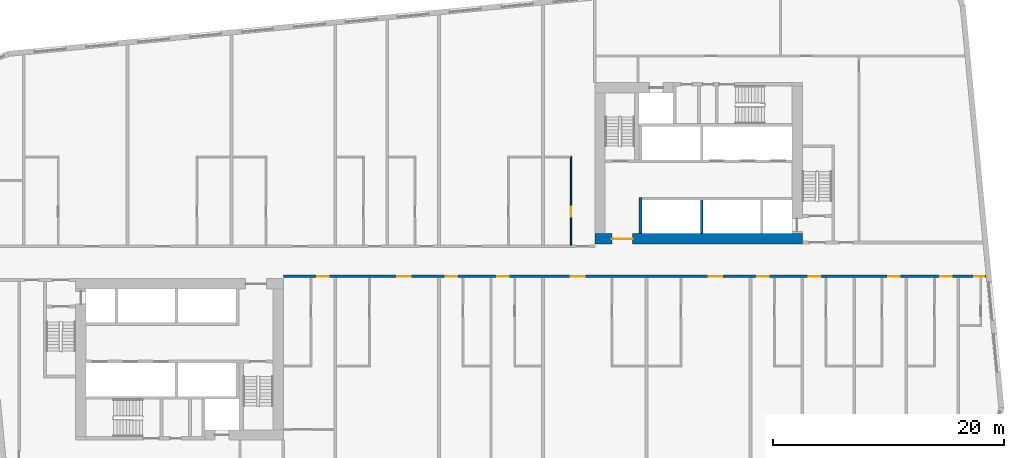
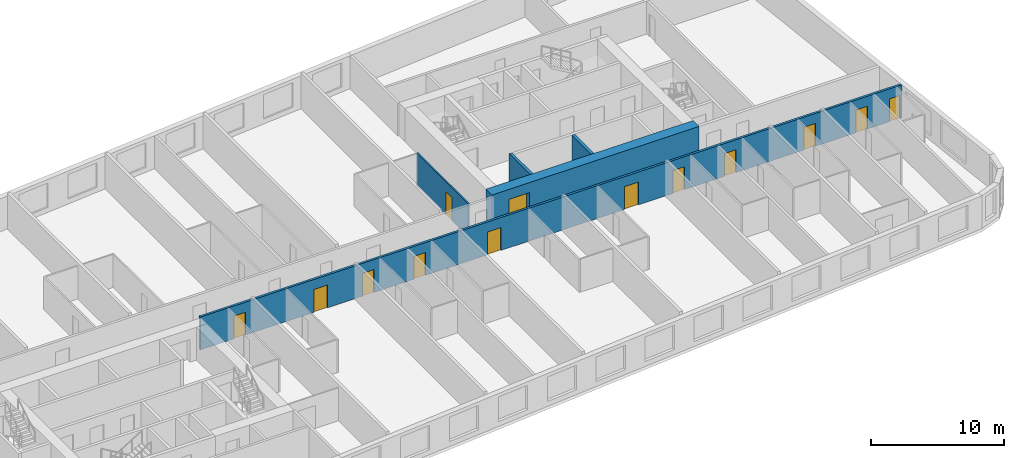
# One storey, part 5 of 12: 13 doors, 5 walls, 13 openings.
"""IFC4 building model written with IfcOpenShell, lengths in metres."""

from ifc_helpers import new_model, si_unit, direction, frame, frame_2d, origin, place, context, subcontext, project, spatial, rectangle, extrude, material, layer, layer_set, type_object, element, fill, save


model = new_model("IFC4")

# Units and contexts
model_context = context("Model", 3, precision=1e-05, world=origin(), true_north=direction((0.0, 1.0)))
body_context = subcontext(model_context, "Body", "Model", "MODEL_VIEW")
ifc_project = project(units=[si_unit("LENGTHUNIT", "METRE"), si_unit("AREAUNIT", "SQUARE_METRE"), si_unit("VOLUMEUNIT", "CUBIC_METRE"), si_unit("PLANEANGLEUNIT", "RADIAN"), si_unit("MASSUNIT", "GRAM", prefix="KILO")], contexts=[model_context])

# Site, building, storey
site_placement = place(None, origin())
site = spatial("IfcSite", under=ifc_project, at=site_placement, CompositionType="ELEMENT")
building_placement = place(site_placement, origin())
building = spatial("IfcBuilding", under=site, at=building_placement, Name="Kajstack Hotel Tower", CompositionType="ELEMENT")
storey_placement = place(building_placement, frame((0.0, 0.0, 133.89990234375)))
storey = spatial("IfcBuildingStorey", under=building, at=storey_placement, Name="L30", CompositionType="ELEMENT", Elevation=133.89990234375)

# Wall, opening, door
ifc_material_1 = material(Name="Concrete C60/75", Category="concrete")
ifc_layer_1 = layer(ifc_material_1, 0.89990234375)
ifc_layer_set_1 = layer_set([ifc_layer_1], Name="Core wall 900")
wall_type_1 = type_object("IfcWallType", Name="Core wall 900", PredefinedType="SHEAR", material=ifc_layer_set_1)
wall_1_placement = place(storey_placement, frame((13.5, 1.949951171875, 0.0), z_axis=(0.0, 0.0, 1.0), x_axis=(1.0, 0.0, 0.0)))
wall_1 = element("IfcWall", 1, at=wall_1_placement, inside=storey, type_object=wall_type_1, Name="Core wall E RN", PredefinedType="SHEAR", context=body_context, shape_type="SweptSolid", body=[
    extrude(rectangle(XDim=18.0, YDim=0.89990234375, at=frame_2d((9.0, 0.0))), origin(), (0.0, 0.0, 1.0), 3.02001953125),
])
opening_1_placement = place(wall_1_placement, frame((1.47509765625, 0.0, 0.0)))
opening_1 = element("IfcOpeningElement", 2, at=opening_1_placement, cuts=wall_1, Name="Opening 30E06", PredefinedType="OPENING", context=body_context, shape_type="SweptSolid", body=[
    extrude(rectangle(XDim=1.800048828125, YDim=2.10009765625, at=frame_2d((0.89990234375, 1.050048828125))), frame((0.0, 0.4599609375, 0.0), z_axis=(0.0, -1.0, 0.0), x_axis=(1.0, 0.0, 0.0)), (0.0, 0.0, 1.0), 0.919921875),
])
ifc_material_2 = material(Name="Glazed steel frame, fire-rated glass", Category="steel")
door_type_1 = type_object("IfcDoorType", Name="Lobby double door 1800", OperationType="DOUBLE_DOOR_DOUBLE_SWING", PredefinedType="DOOR", material=ifc_material_2)
door_1_placement = place(opening_1_placement, origin())
door_1 = element("IfcDoor", 3, at=door_1_placement, inside=storey, type_object=door_type_1, Name="Door 30E06", OperationType="DOUBLE_DOOR_DOUBLE_SWING", OverallHeight=2.10009765625, OverallWidth=1.800048828125, PredefinedType="DOOR", context=body_context, shape_type="SweptSolid", body=[
    extrude(rectangle(XDim=1.800048828125, YDim=2.10009765625, at=frame_2d((0.89990234375, 1.050048828125))), frame((0.0, 0.02490234375, 0.0), z_axis=(0.0, -1.0, 0.0), x_axis=(1.0, 0.0, 0.0)), (0.0, 0.0, 1.0), 0.050048828125),
])
fill(opening_1, door_1)

# Wall, openings, doors
ifc_material_3 = material(Name="Gypsum board on steel studs, mineral wool", Category="steel")
ifc_layer_2 = layer(ifc_material_3, 0.199951171875)
ifc_layer_set_2 = layer_set([ifc_layer_2], Name="Corridor wall 200")
wall_type_2 = type_object("IfcWallType", Name="Corridor wall 200", PredefinedType="PARTITIONING", material=ifc_layer_set_2)
wall_2_placement = place(storey_placement, frame((-13.5, -1.300048828125, 0.0), z_axis=(0.0, 0.0, 1.0), x_axis=(1.0, 0.0, 0.0)))
wall_2 = element("IfcWall", 4, at=wall_2_placement, inside=storey, type_object=wall_type_2, Name="G-wall-L30-021", PredefinedType="PARTITIONING", context=body_context, shape_type="SweptSolid", body=[
    extrude(rectangle(XDim=60.931884765625, YDim=0.199951171875, at=frame_2d((30.4658203125, 0.0))), origin(), (0.0, 0.0, 1.0), 3.02001953125),
])
opening_2_placement = place(wall_2_placement, frame((2.925048828125, 0.0, 0.0)))
opening_2 = element("IfcOpeningElement", 5, at=opening_2_placement, cuts=wall_2, Name="Opening 30017", PredefinedType="OPENING", context=body_context, shape_type="SweptSolid", body=[
    extrude(rectangle(XDim=1.0, YDim=2.10009765625, at=frame_2d((0.5, 1.050048828125))), frame((0.0, 0.10986328125, 0.0), z_axis=(0.0, -1.0, 0.0), x_axis=(1.0, 0.0, 0.0)), (0.0, 0.0, 1.0), 0.219970703125),
])
opening_3_placement = place(wall_2_placement, frame((9.863037109375, 0.0, 0.0)))
opening_3 = element("IfcOpeningElement", 6, at=opening_3_placement, cuts=wall_2, Name="Opening 30020", PredefinedType="OPENING", context=body_context, shape_type="SweptSolid", body=[
    extrude(rectangle(XDim=1.199951171875, YDim=2.10009765625, at=frame_2d((0.60009765625, 1.050048828125))), frame((0.0, 0.10986328125, 0.0), z_axis=(0.0, -1.0, 0.0), x_axis=(1.0, 0.0, 0.0)), (0.0, 0.0, 1.0), 0.219970703125),
])
opening_4_placement = place(wall_2_placement, frame((14.074951171875, 0.0, 0.0)))
opening_4 = element("IfcOpeningElement", 7, at=opening_4_placement, cuts=wall_2, Name="Opening 30022", PredefinedType="OPENING", context=body_context, shape_type="SweptSolid", body=[
    extrude(rectangle(XDim=1.0, YDim=2.10009765625, at=frame_2d((0.5, 1.050048828125))), frame((0.0, 0.10986328125, 0.0), z_axis=(0.0, -1.0, 0.0), x_axis=(1.0, 0.0, 0.0)), (0.0, 0.0, 1.0), 0.219970703125),
])
opening_5_placement = place(wall_2_placement, frame((18.550048828125, 0.0, 0.0)))
opening_5 = element("IfcOpeningElement", 8, at=opening_5_placement, cuts=wall_2, Name="Opening 30024", PredefinedType="OPENING", context=body_context, shape_type="SweptSolid", body=[
    extrude(rectangle(XDim=1.0, YDim=2.10009765625, at=frame_2d((0.5, 1.050048828125))), frame((0.0, 0.10986328125, 0.0), z_axis=(0.0, -1.0, 0.0), x_axis=(1.0, 0.0, 0.0)), (0.0, 0.0, 1.0), 0.219970703125),
])
opening_6_placement = place(wall_2_placement, frame((24.93798828125, 0.0, 0.0)))
opening_6 = element("IfcOpeningElement", 9, at=opening_6_placement, cuts=wall_2, Name="Opening 30026", PredefinedType="OPENING", context=body_context, shape_type="SweptSolid", body=[
    extrude(rectangle(XDim=1.199951171875, YDim=2.10009765625, at=frame_2d((0.60009765625, 1.050048828125))), frame((0.0, 0.10986328125, 0.0), z_axis=(0.0, -1.0, 0.0), x_axis=(1.0, 0.0, 0.0)), (0.0, 0.0, 1.0), 0.219970703125),
])
opening_7_placement = place(wall_2_placement, frame((36.862060546875, 0.0, 0.0)))
opening_7 = element("IfcOpeningElement", 10, at=opening_7_placement, cuts=wall_2, Name="Opening 30028", PredefinedType="OPENING", context=body_context, shape_type="SweptSolid", body=[
    extrude(rectangle(XDim=1.199951171875, YDim=2.10009765625, at=frame_2d((0.60009765625, 1.050048828125))), frame((0.0, 0.10986328125, 0.0), z_axis=(0.0, -1.0, 0.0), x_axis=(1.0, 0.0, 0.0)), (0.0, 0.0, 1.0), 0.219970703125),
])
opening_8_placement = place(wall_2_placement, frame((41.074951171875, 0.0, 0.0)))
opening_8 = element("IfcOpeningElement", 11, at=opening_8_placement, cuts=wall_2, Name="Opening 30030", PredefinedType="OPENING", context=body_context, shape_type="SweptSolid", body=[
    extrude(rectangle(XDim=1.0, YDim=2.10009765625, at=frame_2d((0.5, 1.050048828125))), frame((0.0, 0.10986328125, 0.0), z_axis=(0.0, -1.0, 0.0), x_axis=(1.0, 0.0, 0.0)), (0.0, 0.0, 1.0), 0.219970703125),
])
opening_9_placement = place(wall_2_placement, frame((45.550048828125, 0.0, 0.0)))
opening_9 = element("IfcOpeningElement", 12, at=opening_9_placement, cuts=wall_2, Name="Opening 30032", PredefinedType="OPENING", context=body_context, shape_type="SweptSolid", body=[
    extrude(rectangle(XDim=1.0, YDim=2.10009765625, at=frame_2d((0.5, 1.050048828125))), frame((0.0, 0.10986328125, 0.0), z_axis=(0.0, -1.0, 0.0), x_axis=(1.0, 0.0, 0.0)), (0.0, 0.0, 1.0), 0.219970703125),
])
opening_10_placement = place(wall_2_placement, frame((52.425048828125, 0.0, 0.0)))
opening_10 = element("IfcOpeningElement", 13, at=opening_10_placement, cuts=wall_2, Name="Opening 30034", PredefinedType="OPENING", context=body_context, shape_type="SweptSolid", body=[
    extrude(rectangle(XDim=1.0, YDim=2.10009765625, at=frame_2d((0.5, 1.050048828125))), frame((0.0, 0.10986328125, 0.0), z_axis=(0.0, -1.0, 0.0), x_axis=(1.0, 0.0, 0.0)), (0.0, 0.0, 1.0), 0.219970703125),
])
opening_11_placement = place(wall_2_placement, frame((56.949951171875, 0.0, 0.0)))
opening_11 = element("IfcOpeningElement", 14, at=opening_11_placement, cuts=wall_2, Name="Opening 30037", PredefinedType="OPENING", context=body_context, shape_type="SweptSolid", body=[
    extrude(rectangle(XDim=1.0, YDim=2.10009765625, at=frame_2d((0.5, 1.050048828125))), frame((0.0, 0.10986328125, 0.0), z_axis=(0.0, -1.0, 0.0), x_axis=(1.0, 0.0, 0.0)), (0.0, 0.0, 1.0), 0.219970703125),
])
opening_12_placement = place(wall_2_placement, frame((59.882080078125, 0.0, 0.0)))
opening_12 = element("IfcOpeningElement", 15, at=opening_12_placement, cuts=wall_2, Name="Opening 30039", PredefinedType="OPENING", context=body_context, shape_type="SweptSolid", body=[
    extrude(rectangle(XDim=0.89990234375, YDim=2.10009765625, at=frame_2d((0.449951171875, 1.050048828125))), frame((0.0, 0.10986328125, 0.0), z_axis=(0.0, -1.0, 0.0), x_axis=(1.0, 0.0, 0.0)), (0.0, 0.0, 1.0), 0.219970703125),
])
ifc_material_4 = material(Name="Oak veneer on timber core, fire-rated leaf", Category="wood")
door_type_2 = type_object("IfcDoorType", Name="Flat entrance door 1000", OperationType="SINGLE_SWING_LEFT", PredefinedType="DOOR", material=ifc_material_4)
door_2_placement = place(opening_2_placement, origin())
door_2 = element("IfcDoor", 16, at=door_2_placement, inside=storey, type_object=door_type_2, Name="G-door-L30-17", OperationType="SINGLE_SWING_RIGHT", OverallHeight=2.10009765625, OverallWidth=1.0, PredefinedType="DOOR", context=body_context, shape_type="SweptSolid", body=[
    extrude(rectangle(XDim=1.0, YDim=2.10009765625, at=frame_2d((0.5, 1.050048828125))), frame((0.0, 0.02490234375, 0.0), z_axis=(0.0, -1.0, 0.0), x_axis=(1.0, 0.0, 0.0)), (0.0, 0.0, 1.0), 0.050048828125),
])
fill(opening_2, door_2)
door_3_placement = place(opening_4_placement, origin())
door_3 = element("IfcDoor", 17, at=door_3_placement, inside=storey, type_object=door_type_2, Name="G-door-L30-22", OperationType="SINGLE_SWING_RIGHT", OverallHeight=2.10009765625, OverallWidth=1.0, PredefinedType="DOOR", context=body_context, shape_type="SweptSolid", body=[
    extrude(rectangle(XDim=1.0, YDim=2.10009765625, at=frame_2d((0.5, 1.050048828125))), frame((0.0, 0.02490234375, 0.0), z_axis=(0.0, -1.0, 0.0), x_axis=(1.0, 0.0, 0.0)), (0.0, 0.0, 1.0), 0.050048828125),
])
fill(opening_4, door_3)
door_4_placement = place(opening_5_placement, origin())
door_4 = element("IfcDoor", 18, at=door_4_placement, inside=storey, type_object=door_type_2, Name="G-door-L30-24", OperationType="SINGLE_SWING_LEFT", OverallHeight=2.10009765625, OverallWidth=1.0, PredefinedType="DOOR", context=body_context, shape_type="SweptSolid", body=[
    extrude(rectangle(XDim=1.0, YDim=2.10009765625, at=frame_2d((0.5, 1.050048828125))), frame((0.0, 0.02490234375, 0.0), z_axis=(0.0, -1.0, 0.0), x_axis=(1.0, 0.0, 0.0)), (0.0, 0.0, 1.0), 0.050048828125),
])
fill(opening_5, door_4)
door_5_placement = place(opening_8_placement, origin())
door_5 = element("IfcDoor", 19, at=door_5_placement, inside=storey, type_object=door_type_2, Name="G-door-L30-30", OperationType="SINGLE_SWING_LEFT", OverallHeight=2.10009765625, OverallWidth=1.0, PredefinedType="DOOR", context=body_context, shape_type="SweptSolid", body=[
    extrude(rectangle(XDim=1.0, YDim=2.10009765625, at=frame_2d((0.5, 1.050048828125))), frame((0.0, 0.02490234375, 0.0), z_axis=(0.0, -1.0, 0.0), x_axis=(1.0, 0.0, 0.0)), (0.0, 0.0, 1.0), 0.050048828125),
])
fill(opening_8, door_5)
door_6_placement = place(opening_9_placement, origin())
door_6 = element("IfcDoor", 20, at=door_6_placement, inside=storey, type_object=door_type_2, Name="G-door-L30-32", OperationType="SINGLE_SWING_LEFT", OverallHeight=2.10009765625, OverallWidth=1.0, PredefinedType="DOOR", context=body_context, shape_type="SweptSolid", body=[
    extrude(rectangle(XDim=1.0, YDim=2.10009765625, at=frame_2d((0.5, 1.050048828125))), frame((0.0, 0.02490234375, 0.0), z_axis=(0.0, -1.0, 0.0), x_axis=(1.0, 0.0, 0.0)), (0.0, 0.0, 1.0), 0.050048828125),
])
fill(opening_9, door_6)
door_7_placement = place(opening_10_placement, origin())
door_7 = element("IfcDoor", 21, at=door_7_placement, inside=storey, type_object=door_type_2, Name="G-door-L30-34", OperationType="SINGLE_SWING_LEFT", OverallHeight=2.10009765625, OverallWidth=1.0, PredefinedType="DOOR", context=body_context, shape_type="SweptSolid", body=[
    extrude(rectangle(XDim=1.0, YDim=2.10009765625, at=frame_2d((0.5, 1.050048828125))), frame((0.0, 0.02490234375, 0.0), z_axis=(0.0, -1.0, 0.0), x_axis=(1.0, 0.0, 0.0)), (0.0, 0.0, 1.0), 0.050048828125),
])
fill(opening_10, door_7)
door_8_placement = place(opening_11_placement, origin())
door_8 = element("IfcDoor", 22, at=door_8_placement, inside=storey, type_object=door_type_2, Name="G-door-L30-37", OperationType="SINGLE_SWING_LEFT", OverallHeight=2.10009765625, OverallWidth=1.0, PredefinedType="DOOR", context=body_context, shape_type="SweptSolid", body=[
    extrude(rectangle(XDim=1.0, YDim=2.10009765625, at=frame_2d((0.5, 1.050048828125))), frame((0.0, 0.02490234375, 0.0), z_axis=(0.0, -1.0, 0.0), x_axis=(1.0, 0.0, 0.0)), (0.0, 0.0, 1.0), 0.050048828125),
])
fill(opening_11, door_8)
door_type_3 = type_object("IfcDoorType", Name="Flat entrance door 1200", OperationType="SINGLE_SWING_LEFT", PredefinedType="DOOR", material=ifc_material_4)
door_9_placement = place(opening_3_placement, origin())
door_9 = element("IfcDoor", 23, at=door_9_placement, inside=storey, type_object=door_type_3, Name="G-door-L30-20", OperationType="SINGLE_SWING_LEFT", OverallHeight=2.10009765625, OverallWidth=1.199951171875, PredefinedType="DOOR", context=body_context, shape_type="SweptSolid", body=[
    extrude(rectangle(XDim=1.199951171875, YDim=2.10009765625, at=frame_2d((0.60009765625, 1.050048828125))), frame((0.0, 0.02490234375, 0.0), z_axis=(0.0, -1.0, 0.0), x_axis=(1.0, 0.0, 0.0)), (0.0, 0.0, 1.0), 0.050048828125),
])
fill(opening_3, door_9)
door_10_placement = place(opening_6_placement, origin())
door_10 = element("IfcDoor", 24, at=door_10_placement, inside=storey, type_object=door_type_3, Name="G-door-L30-26", OperationType="SINGLE_SWING_RIGHT", OverallHeight=2.10009765625, OverallWidth=1.199951171875, PredefinedType="DOOR", context=body_context, shape_type="SweptSolid", body=[
    extrude(rectangle(XDim=1.199951171875, YDim=2.10009765625, at=frame_2d((0.60009765625, 1.050048828125))), frame((0.0, 0.02490234375, 0.0), z_axis=(0.0, -1.0, 0.0), x_axis=(1.0, 0.0, 0.0)), (0.0, 0.0, 1.0), 0.050048828125),
])
fill(opening_6, door_10)
door_11_placement = place(opening_7_placement, origin())
door_11 = element("IfcDoor", 25, at=door_11_placement, inside=storey, type_object=door_type_3, Name="G-door-L30-28", OperationType="SINGLE_SWING_RIGHT", OverallHeight=2.10009765625, OverallWidth=1.199951171875, PredefinedType="DOOR", context=body_context, shape_type="SweptSolid", body=[
    extrude(rectangle(XDim=1.199951171875, YDim=2.10009765625, at=frame_2d((0.60009765625, 1.050048828125))), frame((0.0, 0.02490234375, 0.0), z_axis=(0.0, -1.0, 0.0), x_axis=(1.0, 0.0, 0.0)), (0.0, 0.0, 1.0), 0.050048828125),
])
fill(opening_7, door_11)
ifc_material_5 = material(Name="Painted timber door leaf", Category="wood")
door_type_4 = type_object("IfcDoorType", Name="Room door 900", OperationType="SINGLE_SWING_LEFT", PredefinedType="DOOR", material=ifc_material_5)
door_12_placement = place(opening_12_placement, origin())
door_12 = element("IfcDoor", 26, at=door_12_placement, inside=storey, type_object=door_type_4, Name="G-door-L30-39", OperationType="SINGLE_SWING_RIGHT", OverallHeight=2.10009765625, OverallWidth=0.89990234375, PredefinedType="DOOR", context=body_context, shape_type="SweptSolid", body=[
    extrude(rectangle(XDim=0.89990234375, YDim=2.10009765625, at=frame_2d((0.449951171875, 1.050048828125))), frame((0.0, 0.02490234375, 0.0), z_axis=(0.0, -1.0, 0.0), x_axis=(1.0, 0.0, 0.0)), (0.0, 0.0, 1.0), 0.050048828125),
])
fill(opening_12, door_12)

# Wall, opening, door
ifc_material_6 = material(Name="Gypsum board and tiled backer on steel studs", Category="steel")
ifc_layer_3 = layer(ifc_material_6, 0.125)
ifc_layer_set_3 = layer_set([ifc_layer_3], Name="En-suite wall 125")
wall_type_3 = type_object("IfcWallType", Name="En-suite wall 125", PredefinedType="PARTITIONING", material=ifc_layer_set_3)
wall_3_placement = place(storey_placement, frame((11.43798828125, 1.39990234375, 0.0), z_axis=(0.0, 0.0, 1.0), x_axis=(0.0, 1.0, 0.0)))
wall_3 = element("IfcWall", 27, at=wall_3_placement, inside=storey, type_object=wall_type_3, Name="G-wall-L30-019", PredefinedType="PARTITIONING", context=body_context, shape_type="SweptSolid", body=[
    extrude(rectangle(XDim=7.72509765625, YDim=0.125, at=frame_2d((3.862548828125, 0.0))), origin(), (0.0, 0.0, 1.0), 3.02001953125),
])
opening_13_placement = place(wall_3_placement, frame((2.449951171875, 0.0, 0.0)))
opening_13 = element("IfcOpeningElement", 28, at=opening_13_placement, cuts=wall_3, Name="Opening 30016", PredefinedType="OPENING", context=body_context, shape_type="SweptSolid", body=[
    extrude(rectangle(XDim=0.89990234375, YDim=2.10009765625, at=frame_2d((0.449951171875, 1.050048828125))), frame((0.0, 0.072509765625, 0.0), z_axis=(0.0, -1.0, 0.0), x_axis=(1.0, 0.0, 0.0)), (0.0, 0.0, 1.0), 0.14501953125),
])
door_13_placement = place(opening_13_placement, origin())
door_13 = element("IfcDoor", 29, at=door_13_placement, inside=storey, type_object=door_type_4, Name="G-door-L30-16", OperationType="SINGLE_SWING_RIGHT", OverallHeight=2.10009765625, OverallWidth=0.89990234375, PredefinedType="DOOR", context=body_context, shape_type="SweptSolid", body=[
    extrude(rectangle(XDim=0.89990234375, YDim=2.10009765625, at=frame_2d((0.449951171875, 1.050048828125))), frame((0.0, 0.02490234375, 0.0), z_axis=(0.0, -1.0, 0.0), x_axis=(1.0, 0.0, 0.0)), (0.0, 0.0, 1.0), 0.050048828125),
])
fill(opening_13, door_13)

# Walls
ifc_material_7 = material(Name="Concrete C50/60", Category="concrete")
ifc_layer_4 = layer(ifc_material_7, 0.300048828125)
ifc_layer_set_4 = layer_set([ifc_layer_4], Name="Hoistway divider wall 300")
wall_type_4 = type_object("IfcWallType", Name="Hoistway divider wall 300", PredefinedType="SHEAR", material=ifc_layer_set_4)
wall_4_placement = place(storey_placement, frame((22.77490234375, 2.39990234375, 0.0), z_axis=(0.0, 0.0, 1.0), x_axis=(0.0, 1.0, 0.0)))
element("IfcWall", 30, at=wall_4_placement, inside=storey, type_object=wall_type_4, Name="Core wall E AP2", PredefinedType="SHEAR", context=body_context, shape_type="SweptSolid", body=[
    extrude(rectangle(XDim=2.900146484375, YDim=0.25, at=frame_2d((1.4501953125, 0.0))), origin(), (0.0, 0.0, 1.0), 3.02001953125),
])
ifc_layer_5 = layer(ifc_material_7, 0.25)
ifc_layer_set_5 = layer_set([ifc_layer_5], Name="Shaft wall 250")
wall_type_5 = type_object("IfcWallType", Name="Shaft wall 250", PredefinedType="SHEAR", material=ifc_layer_set_5)
wall_5_placement = place(storey_placement, frame((17.47509765625, 2.39990234375, 0.0), z_axis=(0.0, 0.0, 1.0), x_axis=(0.0, 1.0, 0.0)))
element("IfcWall", 31, at=wall_5_placement, inside=storey, type_object=wall_type_5, Name="Core wall E AE", PredefinedType="SHEAR", context=body_context, shape_type="SweptSolid", body=[
    extrude(rectangle(XDim=3.150146484375, YDim=0.25, at=frame_2d((1.5751953125, 0.0))), origin(), (0.0, 0.0, 1.0), 3.02001953125),
])

save(model, "model.ifc")
